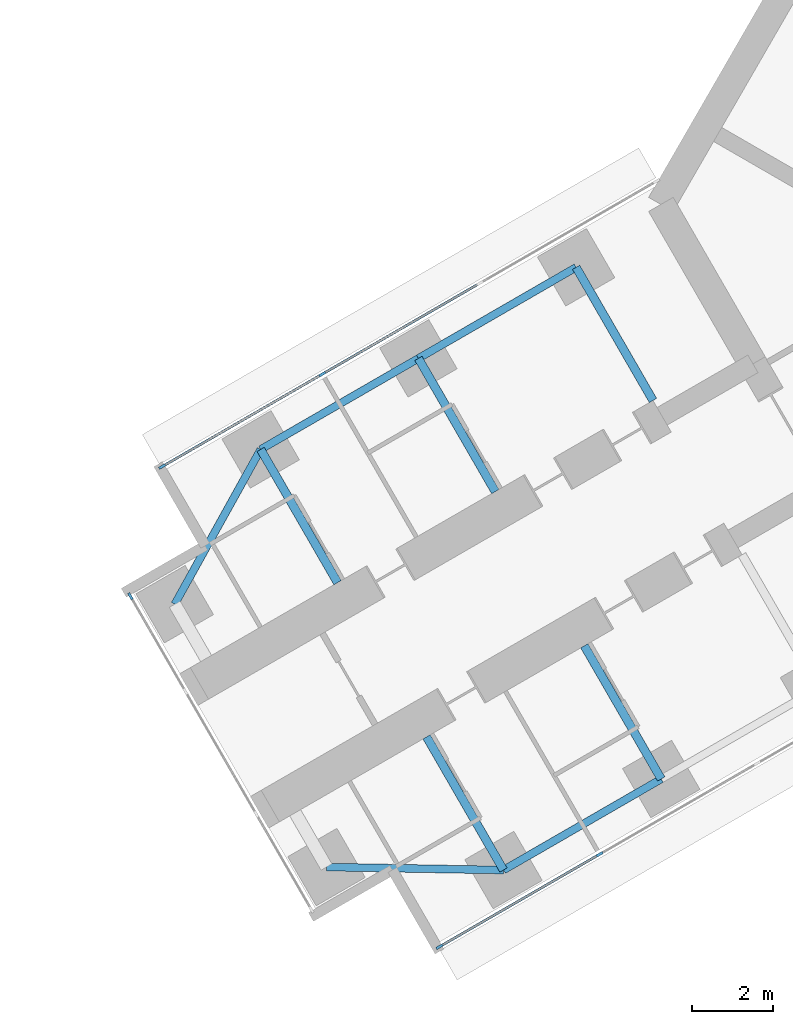
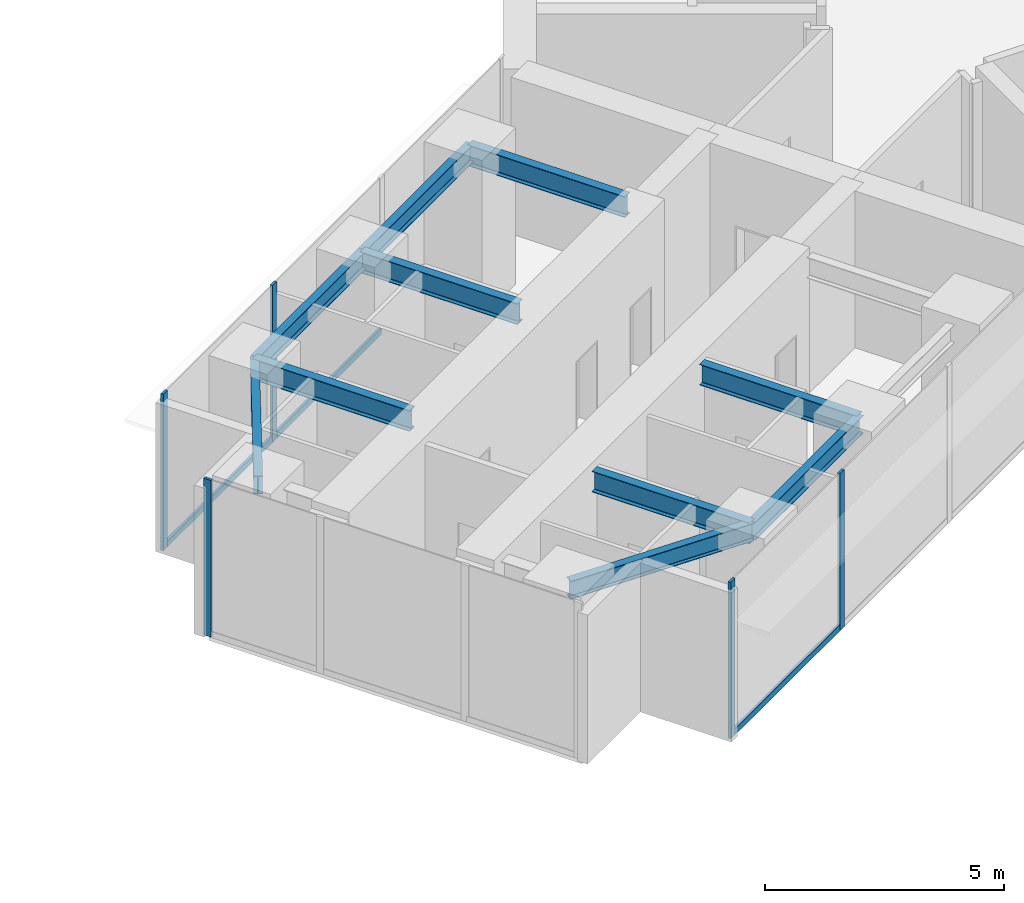
# One storey, part 4 of 25: 10 beams, 8 members, 3 elements without a shape of their own.
"""IFC4 building model written with IfcOpenShell, lengths in metres."""

from ifc_helpers import new_model, si_unit, direction, frame, origin, origin_2d, place, context, subcontext, project, spatial, rectangle, i_section, extrude, material, material_profile, profile_set, type_object, element, aggregate, save


model = new_model("IFC4")

# Units and contexts
model_context = context("Model", 3, precision=1e-05, world=origin(), true_north=direction((0.0, 1.0)))
body_context = subcontext(model_context, "Body", "Model", "MODEL_VIEW")
ifc_project = project(units=[si_unit("LENGTHUNIT", "METRE"), si_unit("AREAUNIT", "SQUARE_METRE"), si_unit("VOLUMEUNIT", "CUBIC_METRE"), si_unit("PLANEANGLEUNIT", "RADIAN"), si_unit("MASSUNIT", "GRAM", prefix="KILO")], contexts=[model_context])

# Site, building, storey
site_placement = place(None, origin())
site = spatial("IfcSite", under=ifc_project, at=site_placement, CompositionType="ELEMENT")
building_placement = place(site_placement, origin())
building = spatial("IfcBuilding", under=site, at=building_placement, Name="Upepo Twin Towers", CompositionType="ELEMENT")
storey_placement = place(building_placement, frame((0.0, 0.0, 72.5)))
storey = spatial("IfcBuildingStorey", under=building, at=storey_placement, Name="L17", CompositionType="ELEMENT", Elevation=72.5)

# Beams
ifc_material_1 = material(Name="Steel S355", Category="steel")
ifc_material_profile_1 = material_profile(ifc_material_1, i_section(OverallWidth=0.1904296875, OverallDepth=0.45703125, WebThickness=0.009033203125, FlangeThickness=0.014404296875, FilletRadius=0.01025390625, at=origin_2d()), Name="UB 457x191x74")
ifc_profile_set_1 = profile_set([ifc_material_profile_1], Name="Steel S355")
beam_type_1 = type_object("IfcBeamType", Name="Beam UB 457x191x74", PredefinedType="BEAM", material=ifc_profile_set_1)
beam_1_placement = place(storey_placement, frame((45.91162109375, -32.196044921875, 3.571533203125), z_axis=(-0.866031096941, -0.499990139034, 0.0), x_axis=(0.499990139034, -0.866031096941, 0.0)))
element("IfcBeam", 1, at=beam_1_placement, inside=storey, type_object=beam_type_1, Name="T2 edge beam BL 18.0-22.5", PredefinedType="BEAM", context=body_context, shape_type="SweptSolid", body=[
    extrude(i_section(OverallWidth=0.1904296875, OverallDepth=0.45703125, WebThickness=0.009033203125, FlangeThickness=0.014404296875, FilletRadius=0.01025390625, at=origin_2d()), origin(), (0.0, 0.0, 1.0), 4.5),
])
beam_2_placement = place(storey_placement, frame((42.014404296875, -34.446044921875, 3.571533203125), z_axis=(-0.999858804832, 0.016803880528, 0.0), x_axis=(-0.016803880528, -0.999858804832, 0.0)))
element("IfcBeam", 2, at=beam_2_placement, inside=storey, type_object=beam_type_1, Name="T2 nose edge beam BL", PredefinedType="BEAM", context=body_context, shape_type="SweptSolid", body=[
    extrude(i_section(OverallWidth=0.1904296875, OverallDepth=0.45703125, WebThickness=0.009033203125, FlangeThickness=0.014404296875, FilletRadius=0.01025390625, at=origin_2d()), origin(), (0.0, 0.0, 1.0), 4.373291015625),
])
beam_3_placement = place(storey_placement, frame((43.80859375, -19.553955078125, 3.571533203125), z_axis=(-0.866017533419, -0.500013631625, 0.0), x_axis=(0.500013631625, -0.866017533419, 0.0)))
element("IfcBeam", 3, at=beam_3_placement, inside=storey, type_object=beam_type_1, Name="T2 edge beam BR 13.5-18.0", PredefinedType="BEAM", context=body_context, shape_type="SweptSolid", body=[
    extrude(i_section(OverallWidth=0.1904296875, OverallDepth=0.45703125, WebThickness=0.009033203125, FlangeThickness=0.014404296875, FilletRadius=0.01025390625, at=origin_2d()), origin(), (0.0, 0.0, 1.0), 4.499755859375),
])
beam_4_placement = place(storey_placement, frame((39.91162109375, -21.803955078125, 3.571533203125), z_axis=(-0.866031096941, -0.499990139034, 0.0), x_axis=(0.499990139034, -0.866031096941, 0.0)))
element("IfcBeam", 4, at=beam_4_placement, inside=storey, type_object=beam_type_1, Name="T2 edge beam BR 18.0-22.5", PredefinedType="BEAM", context=body_context, shape_type="SweptSolid", body=[
    extrude(i_section(OverallWidth=0.1904296875, OverallDepth=0.45703125, WebThickness=0.009033203125, FlangeThickness=0.014404296875, FilletRadius=0.01025390625, at=origin_2d()), origin(), (0.0, 0.0, 1.0), 4.5),
])
beam_5_placement = place(storey_placement, frame((36.014404296875, -24.053955078125, 3.571533203125), z_axis=(-0.485363242752, -0.874312600038, 0.0), x_axis=(0.874312600038, -0.485363242752, 0.0)))
element("IfcBeam", 5, at=beam_5_placement, inside=storey, type_object=beam_type_1, Name="T2 nose edge beam BR", PredefinedType="BEAM", context=body_context, shape_type="SweptSolid", body=[
    extrude(i_section(OverallWidth=0.1904296875, OverallDepth=0.45703125, WebThickness=0.009033203125, FlangeThickness=0.014404296875, FilletRadius=0.01025390625, at=origin_2d()), origin(), (0.0, 0.0, 1.0), 4.373046875),
])
ifc_material_2 = material(Name="Steel S355", Category="steel")
ifc_material_profile_2 = material_profile(ifc_material_2, i_section(OverallWidth=0.209228515625, OverallDepth=0.533203125, WebThickness=0.010009765625, FlangeThickness=0.015625, FilletRadius=0.0126953125, at=origin_2d()), Name="UB 533x210x92")
ifc_profile_set_2 = profile_set([ifc_material_profile_2], Name="Steel S355")
beam_type_2 = type_object("IfcBeamType", Name="Beam UB 533x210x92", PredefinedType="BEAM", material=ifc_profile_set_2)
beam_6_placement = place(storey_placement, frame((45.91162109375, -32.196044921875, 3.533447265625), z_axis=(-0.500043160704, 0.866000483506, 0.0), x_axis=(-0.866000483506, -0.500043160704, 0.0)))
element("IfcBeam", 6, at=beam_6_placement, inside=storey, type_object=beam_type_2, Name="T2 girder BL at 18.0", PredefinedType="BEAM", context=body_context, shape_type="SweptSolid", body=[
    extrude(i_section(OverallWidth=0.209228515625, OverallDepth=0.533203125, WebThickness=0.010009765625, FlangeThickness=0.015625, FilletRadius=0.0126953125, at=origin_2d()), origin(), (0.0, 0.0, 1.0), 3.800048828125),
])
beam_7_placement = place(storey_placement, frame((42.014404296875, -34.446044921875, 3.533447265625), z_axis=(-0.499994975061, 0.866028304915, 0.0), x_axis=(-0.866028304915, -0.499994975061, 0.0)))
element("IfcBeam", 7, at=beam_7_placement, inside=storey, type_object=beam_type_2, Name="T2 girder BL at 22.5", PredefinedType="BEAM", context=body_context, shape_type="SweptSolid", body=[
    extrude(i_section(OverallWidth=0.209228515625, OverallDepth=0.533203125, WebThickness=0.010009765625, FlangeThickness=0.015625, FilletRadius=0.0126953125, at=origin_2d()), origin(), (0.0, 0.0, 1.0), 3.7998046875),
])
beam_8_placement = place(storey_placement, frame((43.80859375, -19.553955078125, 3.533447265625), z_axis=(0.500043160704, -0.866000483506, 0.0), x_axis=(0.866000483506, 0.500043160704, 0.0)))
element("IfcBeam", 8, at=beam_8_placement, inside=storey, type_object=beam_type_2, Name="T2 girder BR at 13.5", PredefinedType="BEAM", context=body_context, shape_type="SweptSolid", body=[
    extrude(i_section(OverallWidth=0.209228515625, OverallDepth=0.533203125, WebThickness=0.010009765625, FlangeThickness=0.015625, FilletRadius=0.0126953125, at=origin_2d()), origin(), (0.0, 0.0, 1.0), 3.800048828125),
])
for number, where, z_axis, x_axis, name in (
    (9, (39.91162109375, -21.803955078125, 3.533447265625), (0.499994975061, -0.866028304915, 0.0), (0.866028304915, 0.499994975061, 0.0), "T2 girder BR at 18.0"),
    (10, (36.014404296875, -24.053955078125, 3.533447265625), (0.499994975061, -0.866028304915, 0.0), (0.866028304915, 0.499994975061, 0.0), "T2 girder BR at 22.5"),
):
    element("IfcBeam", number, at=place(storey_placement, frame(where, z_axis=z_axis, x_axis=x_axis)), inside=storey, type_object=beam_type_2, Name=name, PredefinedType="BEAM", context=body_context, shape_type="SweptSolid", body=[
        extrude(i_section(OverallWidth=0.209228515625, OverallDepth=0.533203125, WebThickness=0.010009765625, FlangeThickness=0.015625, FilletRadius=0.0126953125, at=origin_2d()), origin(), (0.0, 0.0, 1.0), 3.7998046875),
    ])

# Curtain wall, members
ifc_material_3 = material(Name="Aluminium and fritted glass", Category="aluminium")
curtain_wall_type = type_object("IfcCurtainWallType", Name="Tower curtain wall TW1, fritted glass", PredefinedType="NOTDEFINED", material=ifc_material_3)
curtain_wall_1_placement = place(storey_placement, origin())
curtain_wall_1 = element("IfcCurtainWall", 11, at=curtain_wall_1_placement, inside=storey, type_object=curtain_wall_type, Name="T2 L17 wing B flank L curtain wall", PredefinedType="NOTDEFINED")
ifc_material_4 = material(Name="Aluminium mullion", Category="aluminium")
ifc_material_profile_3 = material_profile(ifc_material_4, rectangle(XDim=0.06494140625, YDim=0.179931640625, at=origin_2d()), Name="MULLION 65x180")
ifc_profile_set_3 = profile_set([ifc_material_profile_3], Name="Aluminium mullion")
member_type_1 = type_object("IfcMemberType", Name="Mullion 65x180 TW1", PredefinedType="MULLION", material=ifc_profile_set_3)
member_1_placement = place(storey_placement, frame((44.387939453125, -34.057373046875, 0.0), z_axis=(0.0, 0.0, 1.0), x_axis=(0.500000024426, -0.866025389682, 0.0)))
member_1 = element("IfcMember", 12, at=member_1_placement, type_object=member_type_1, Name="T2 L17 wing B flank L curtain wall mullion 3", PredefinedType="MULLION", context=body_context, shape_type="SweptSolid", body=[
    extrude(rectangle(XDim=0.06494140625, YDim=0.179931640625, at=origin_2d()), origin(), (0.0, 0.0, 1.0), 4.0),
])
member_2_placement = place(storey_placement, frame((40.432373046875, -36.341064453125, 0.0), z_axis=(0.0, 0.0, 1.0), x_axis=(0.500000024426, -0.866025389682, 0.0)))
member_2 = element("IfcMember", 13, at=member_2_placement, type_object=member_type_1, Name="T2 L17 wing B flank L curtain wall mullion 4", PredefinedType="MULLION", context=body_context, shape_type="SweptSolid", body=[
    extrude(rectangle(XDim=0.06494140625, YDim=0.179931640625, at=origin_2d()), origin(), (0.0, 0.0, 1.0), 4.0),
])

curtain_wall_2_placement = place(storey_placement, origin())
curtain_wall_2 = element("IfcCurtainWall", 14, at=curtain_wall_2_placement, inside=storey, type_object=curtain_wall_type, Name="T2 L17 wing B flank R curtain wall", PredefinedType="NOTDEFINED")
member_3_placement = place(storey_placement, frame((33.58251953125, -24.4765625, 0.0), z_axis=(0.0, 0.0, 1.0), x_axis=(-0.500000024426, 0.866025389682, 0.0)))
member_3 = element("IfcMember", 15, at=member_3_placement, type_object=member_type_1, Name="T2 L17 wing B flank R curtain wall mullion 1", PredefinedType="MULLION", context=body_context, shape_type="SweptSolid", body=[
    extrude(rectangle(XDim=0.06494140625, YDim=0.179931640625, at=origin_2d()), origin(), (0.0, 0.0, 1.0), 4.0),
])
member_4_placement = place(storey_placement, frame((37.5380859375, -22.192626953125, 0.0), z_axis=(0.0, 0.0, 1.0), x_axis=(-0.500000024426, 0.866025389682, 0.0)))
member_4 = element("IfcMember", 16, at=member_4_placement, type_object=member_type_1, Name="T2 L17 wing B flank R curtain wall mullion 2", PredefinedType="MULLION", context=body_context, shape_type="SweptSolid", body=[
    extrude(rectangle(XDim=0.06494140625, YDim=0.179931640625, at=origin_2d()), origin(), (0.0, 0.0, 1.0), 4.0),
])

# Curtain wall, member
curtain_wall_3_placement = place(storey_placement, origin())
curtain_wall_3 = element("IfcCurtainWall", 17, at=curtain_wall_3_placement, inside=storey, type_object=curtain_wall_type, Name="T2 L17 wing B nose curtain wall", PredefinedType="NOTDEFINED")
member_5_placement = place(storey_placement, frame((32.796875, -27.68115234375, 0.0), z_axis=(0.0, 0.0, 1.0), x_axis=(0.866025386174, 0.500000030502, 0.0)))
member_5 = element("IfcMember", 18, at=member_5_placement, type_object=member_type_1, Name="T2 L17 wing B nose curtain wall mullion 1", PredefinedType="MULLION", context=body_context, shape_type="SweptSolid", body=[
    extrude(rectangle(XDim=0.06494140625, YDim=0.179931640625, at=origin_2d()), origin(), (0.0, 0.0, 1.0), 4.0),
])
aggregate(curtain_wall_3, [member_5])

# Member
ifc_material_5 = material(Name="Aluminium transom", Category="aluminium")
ifc_material_profile_4 = material_profile(ifc_material_5, rectangle(XDim=0.06494140625, YDim=0.14990234375, at=origin_2d()), Name="TRANSOM 65x150")
ifc_profile_set_4 = profile_set([ifc_material_profile_4], Name="Aluminium transom")
member_type_2 = type_object("IfcMemberType", Name="Transom 65x150 TW1", PredefinedType="USERDEFINED", material=ifc_profile_set_4)
member_6_placement = place(storey_placement, frame((44.35986328125, -34.073486328125, 0.074951171875), z_axis=(-0.866035699072, -0.499982167615, 0.0), x_axis=(0.499982167615, -0.866035699072, 0.0)))
member_6 = element("IfcMember", 19, at=member_6_placement, type_object=member_type_2, Name="T2 L17 wing B flank L curtain wall transom 3", ObjectType="TRANSOM", PredefinedType="USERDEFINED", context=body_context, shape_type="SweptSolid", body=[
    extrude(rectangle(XDim=0.06494140625, YDim=0.14990234375, at=origin_2d()), origin(), (0.0, 0.0, 1.0), 4.502685546875),
])

aggregate(curtain_wall_1, [member_1, member_2, member_6])

member_7_placement = place(storey_placement, frame((33.610595703125, -24.460205078125, 0.074951171875), z_axis=(0.866022143554, 0.500005646842, 0.0), x_axis=(-0.500005646842, 0.866022143554, 0.0)))
member_7 = element("IfcMember", 20, at=member_7_placement, type_object=member_type_2, Name="T2 L17 wing B flank R curtain wall transom 1", ObjectType="TRANSOM", PredefinedType="USERDEFINED", context=body_context, shape_type="SweptSolid", body=[
    extrude(rectangle(XDim=0.06494140625, YDim=0.14990234375, at=origin_2d()), origin(), (0.0, 0.0, 1.0), 4.50244140625),
])

member_8_placement = place(storey_placement, frame((37.566162109375, -22.176513671875, 0.074951171875), z_axis=(0.866022410713, 0.500005184116, 0.0), x_axis=(-0.500005184116, 0.866022410713, 0.0)))
member_8 = element("IfcMember", 21, at=member_8_placement, type_object=member_type_2, Name="T2 L17 wing B flank R curtain wall transom 2", ObjectType="TRANSOM", PredefinedType="USERDEFINED", context=body_context, shape_type="SweptSolid", body=[
    extrude(rectangle(XDim=0.06494140625, YDim=0.14990234375, at=origin_2d()), origin(), (0.0, 0.0, 1.0), 4.43505859375),
])

aggregate(curtain_wall_2, [member_3, member_4, member_7, member_8])

save(model, "model.ifc")
